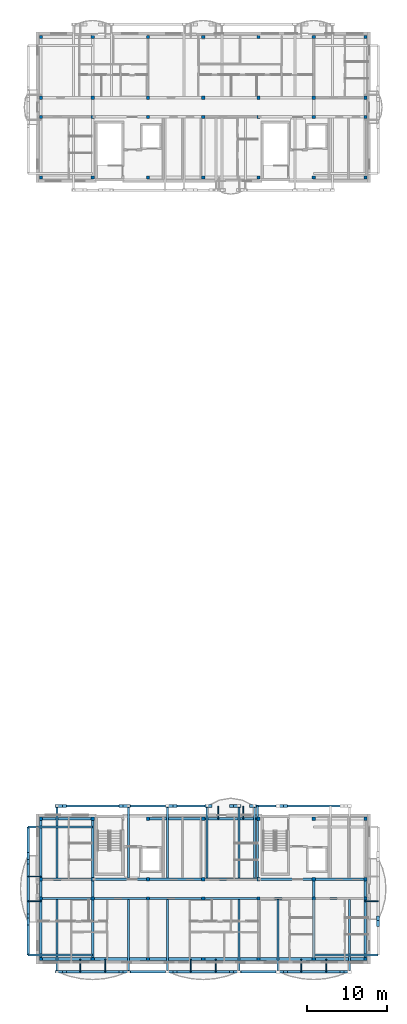
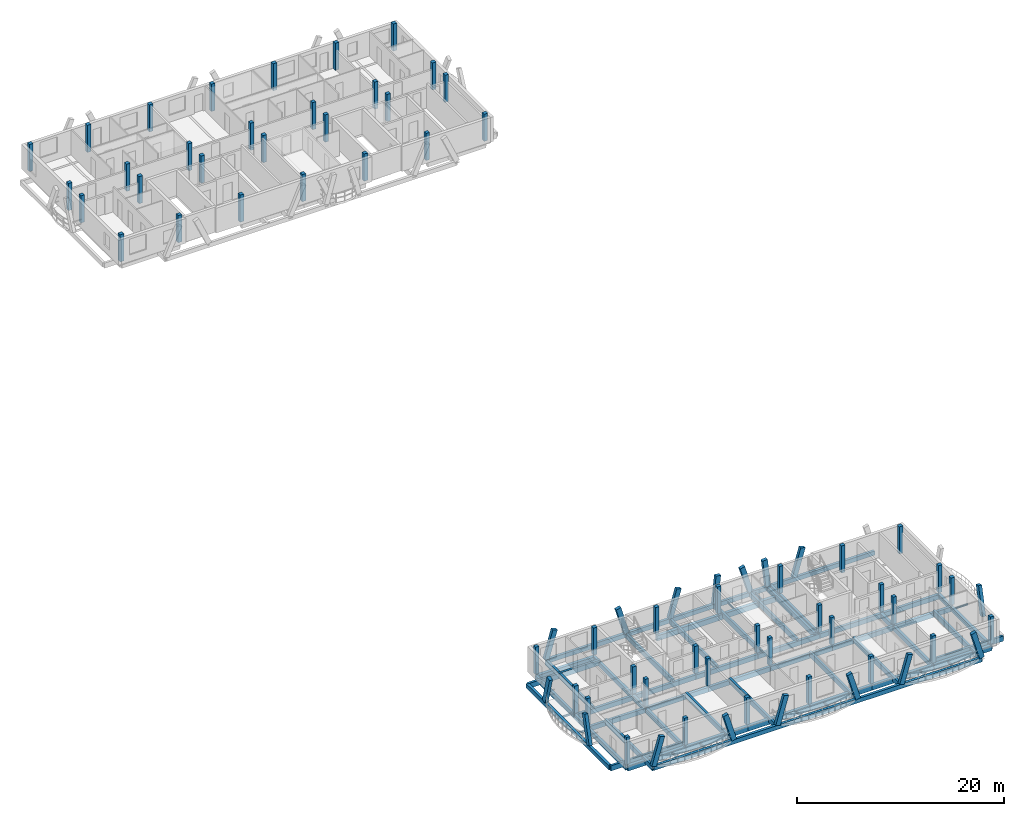
# One storey, part 1 of 18: 61 beams, 56 columns, 16 members.
"""IFC4 building model written with IfcOpenShell, lengths in metres."""

from ifc_helpers import new_model, si_unit, direction, frame, origin, origin_2d, place, context, subcontext, project, spatial, rectangle, i_section, extrude, material, material_profile, profile_set, type_object, element, save


model = new_model("IFC4")

# Units and contexts
model_context = context("Model", 3, precision=1e-05, world=origin(), true_north=direction((0.0, 1.0)))
body_context = subcontext(model_context, "Body", "Model", "MODEL_VIEW")
ifc_project = project(units=[si_unit("LENGTHUNIT", "METRE"), si_unit("AREAUNIT", "SQUARE_METRE"), si_unit("VOLUMEUNIT", "CUBIC_METRE"), si_unit("PLANEANGLEUNIT", "RADIAN"), si_unit("MASSUNIT", "GRAM", prefix="KILO")], contexts=[model_context])

# Site, building, storey
site_placement = place(None, origin())
site = spatial("IfcSite", under=ifc_project, at=site_placement, CompositionType="ELEMENT")
building_placement = place(site_placement, origin())
building = spatial("IfcBuilding", under=site, at=building_placement, Name="Zavelmont Quarter", CompositionType="ELEMENT")
storey_placement = place(building_placement, frame((0.0, 0.0, 40.0)))
storey = spatial("IfcBuildingStorey", under=building, at=storey_placement, Name="L12", CompositionType="ELEMENT", Elevation=40.0)

# Columns
ifc_material_1 = material(Name="Concrete C35/45", Category="concrete")
ifc_material_profile_1 = material_profile(ifc_material_1, rectangle(XDim=0.39990234375, YDim=0.39990234375, at=origin_2d()), Name="RC400X400")
ifc_profile_set_1 = profile_set([ifc_material_profile_1], Name="Concrete C35/45")
column_type = type_object("IfcColumnType", Name="CL05", PredefinedType="COLUMN", material=ifc_profile_set_1)
for number, where, z_axis, x_axis, name in (
    (1, (0.43994140625, 0.43994140625, 0.0), (0.0, 0.0, 1.0), (1.0, 0.0, 0.0), "L12 column CL05 at 1/A"),
    (2, (0.43994140625, 8.0, 0.0), (0.0, 0.0, 1.0), (1.0, 0.0, 0.0), "L12 column CL05 at 1/B"),
    (3, (0.43994140625, 10.39990234375, 0.0), (0.0, 0.0, 1.0), (1.0, 0.0, 0.0), "L12 column CL05 at 1/C"),
    (4, (0.43994140625, 17.9599609375, 0.0), (0.0, 0.0, 1.0), (1.0, 0.0, 0.0), "L12 column CL05 at 1/D"),
    (5, (6.89990234375, 0.43994140625, 0.0), (0.0, 0.0, 1.0), (1.0, 0.0, 0.0), "L12 column CL05 at 2/A"),
    (6, (6.89990234375, 8.0, 0.0), (0.0, 0.0, 1.0), (1.0, 0.0, 0.0), "L12 column CL05 at 2/B"),
    (7, (6.89990234375, 10.39990234375, 0.0), (0.0, 0.0, 1.0), (1.0, 0.0, 0.0), "L12 column CL05 at 2/C"),
    (8, (6.89990234375, 17.9599609375, 0.0), (0.0, 0.0, 1.0), (1.0, 0.0, 0.0), "L12 column CL05 at 2/D"),
    (9, (13.800048828125, 0.43994140625, 0.0), (0.0, 0.0, 1.0), (1.0, 0.0, 0.0), "L12 column CL05 at 3/A"),
    (10, (13.800048828125, 8.0, 0.0), (0.0, 0.0, 1.0), (1.0, 0.0, 0.0), "L12 column CL05 at 3/B"),
    (11, (13.800048828125, 10.39990234375, 0.0), (0.0, 0.0, 1.0), (1.0, 0.0, 0.0), "L12 column CL05 at 3/C"),
    (12, (13.800048828125, 17.9599609375, 0.0), (0.0, 0.0, 1.0), (1.0, 0.0, 0.0), "L12 column CL05 at 3/D"),
    (13, (20.699951171875, 0.43994140625, 0.0), (0.0, 0.0, 1.0), (1.0, 0.0, 0.0), "L12 column CL05 at 4/A"),
    (14, (20.699951171875, 8.0, 0.0), (0.0, 0.0, 1.0), (1.0, 0.0, 0.0), "L12 column CL05 at 4/B"),
    (15, (20.699951171875, 10.39990234375, 0.0), (0.0, 0.0, 1.0), (1.0, 0.0, 0.0), "L12 column CL05 at 4/C"),
    (16, (20.699951171875, 17.9599609375, 0.0), (0.0, 0.0, 1.0), (1.0, 0.0, 0.0), "L12 column CL05 at 4/D"),
    (17, (27.60009765625, 0.43994140625, 0.0), (0.0, 0.0, 1.0), (1.0, 0.0, 0.0), "L12 column CL05 at 5/A"),
    (18, (27.60009765625, 8.0, 0.0), (0.0, 0.0, 1.0), (1.0, 0.0, 0.0), "L12 column CL05 at 5/B"),
    (19, (27.60009765625, 10.39990234375, 0.0), (0.0, 0.0, 1.0), (1.0, 0.0, 0.0), "L12 column CL05 at 5/C"),
    (20, (27.60009765625, 17.9599609375, 0.0), (0.0, 0.0, 1.0), (1.0, 0.0, 0.0), "L12 column CL05 at 5/D"),
    (21, (34.5, 0.43994140625, 0.0), (0.0, 0.0, 1.0), (1.0, 0.0, 0.0), "L12 column CL05 at 6/A"),
    (22, (34.5, 8.0, 0.0), (0.0, 0.0, 1.0), (1.0, 0.0, 0.0), "L12 column CL05 at 6/B"),
    (23, (34.5, 10.39990234375, 0.0), (0.0, 0.0, 1.0), (1.0, 0.0, 0.0), "L12 column CL05 at 6/C"),
    (24, (34.5, 17.9599609375, 0.0), (0.0, 0.0, 1.0), (1.0, 0.0, 0.0), "L12 column CL05 at 6/D"),
    (25, (40.9599609375, 0.43994140625, 0.0), (0.0, 0.0, 1.0), (1.0, 0.0, 0.0), "L12 column CL05 at 7/A"),
    (26, (40.9599609375, 8.0, 0.0), (0.0, 0.0, 1.0), (1.0, 0.0, 0.0), "L12 column CL05 at 7/B"),
    (27, (40.9599609375, 10.39990234375, 0.0), (0.0, 0.0, 1.0), (1.0, 0.0, 0.0), "L12 column CL05 at 7/C"),
    (28, (40.9599609375, 17.9599609375, 0.0), (0.0, 0.0, 1.0), (1.0, 0.0, 0.0), "L12 column CL05 at 7/D"),
    (29, (0.43994140625, 98.0400390625, 0.0), (0.0, 0.0, 1.0), (1.0, 0.0, 0.0), "L12 column CL05 at 1/P"),
    (30, (0.43994140625, 105.60009765625, 0.0), (0.0, 0.0, 1.0), (1.0, 0.0, 0.0), "L12 column CL05 at 1/Q"),
    (31, (0.43994140625, 108.0, 0.0), (0.0, 0.0, 1.0), (1.0, 0.0, 0.0), "L12 column CL05 at 1/R"),
    (32, (0.43994140625, 115.56005859375, 0.0), (0.0, 0.0, 1.0), (1.0, 0.0, 0.0), "L12 column CL05 at 1/S"),
    (33, (6.89990234375, 98.0400390625, 0.0), (0.0, 0.0, 1.0), (1.0, 0.0, 0.0), "L12 column CL05 at 2/P"),
    (34, (6.89990234375, 105.60009765625, 0.0), (0.0, 0.0, 1.0), (1.0, 0.0, 0.0), "L12 column CL05 at 2/Q"),
    (35, (6.89990234375, 108.0, 0.0), (0.0, 0.0, 1.0), (1.0, 0.0, 0.0), "L12 column CL05 at 2/R"),
    (36, (6.89990234375, 115.56005859375, 0.0), (0.0, 0.0, 1.0), (1.0, 0.0, 0.0), "L12 column CL05 at 2/S"),
    (37, (13.800048828125, 98.0400390625, 0.0), (0.0, 0.0, 1.0), (1.0, 0.0, 0.0), "L12 column CL05 at 3/P"),
    (38, (13.800048828125, 105.60009765625, 0.0), (0.0, 0.0, 1.0), (1.0, 0.0, 0.0), "L12 column CL05 at 3/Q"),
    (39, (13.800048828125, 108.0, 0.0), (0.0, 0.0, 1.0), (1.0, 0.0, 0.0), "L12 column CL05 at 3/R"),
    (40, (13.800048828125, 115.56005859375, 0.0), (0.0, 0.0, 1.0), (1.0, 0.0, 0.0), "L12 column CL05 at 3/S"),
    (41, (20.699951171875, 98.0400390625, 0.0), (0.0, 0.0, 1.0), (1.0, 0.0, 0.0), "L12 column CL05 at 4/P"),
    (42, (20.699951171875, 105.60009765625, 0.0), (0.0, 0.0, 1.0), (1.0, 0.0, 0.0), "L12 column CL05 at 4/Q"),
    (43, (20.699951171875, 108.0, 0.0), (0.0, 0.0, 1.0), (1.0, 0.0, 0.0), "L12 column CL05 at 4/R"),
    (44, (20.699951171875, 115.56005859375, 0.0), (0.0, 0.0, 1.0), (1.0, 0.0, 0.0), "L12 column CL05 at 4/S"),
    (45, (27.60009765625, 98.0400390625, 0.0), (0.0, 0.0, 1.0), (1.0, 0.0, 0.0), "L12 column CL05 at 5/P"),
    (46, (27.60009765625, 105.60009765625, 0.0), (0.0, 0.0, 1.0), (1.0, 0.0, 0.0), "L12 column CL05 at 5/Q"),
    (47, (27.60009765625, 108.0, 0.0), (0.0, 0.0, 1.0), (1.0, 0.0, 0.0), "L12 column CL05 at 5/R"),
    (48, (27.60009765625, 115.56005859375, 0.0), (0.0, 0.0, 1.0), (1.0, 0.0, 0.0), "L12 column CL05 at 5/S"),
    (49, (34.5, 98.0400390625, 0.0), (0.0, 0.0, 1.0), (1.0, 0.0, 0.0), "L12 column CL05 at 6/P"),
    (50, (34.5, 105.60009765625, 0.0), (0.0, 0.0, 1.0), (1.0, 0.0, 0.0), "L12 column CL05 at 6/Q"),
    (51, (34.5, 108.0, 0.0), (0.0, 0.0, 1.0), (1.0, 0.0, 0.0), "L12 column CL05 at 6/R"),
    (52, (34.5, 115.56005859375, 0.0), (0.0, 0.0, 1.0), (1.0, 0.0, 0.0), "L12 column CL05 at 6/S"),
    (53, (40.9599609375, 98.0400390625, 0.0), (0.0, 0.0, 1.0), (1.0, 0.0, 0.0), "L12 column CL05 at 7/P"),
    (54, (40.9599609375, 105.60009765625, 0.0), (0.0, 0.0, 1.0), (1.0, 0.0, 0.0), "L12 column CL05 at 7/Q"),
    (55, (40.9599609375, 108.0, 0.0), (0.0, 0.0, 1.0), (1.0, 0.0, 0.0), "L12 column CL05 at 7/R"),
    (56, (40.9599609375, 115.56005859375, 0.0), (0.0, 0.0, 1.0), (1.0, 0.0, 0.0), "L12 column CL05 at 7/S"),
):
    element("IfcColumn", number, at=place(storey_placement, frame(where, z_axis=z_axis, x_axis=x_axis)), inside=storey, type_object=column_type, Name=name, PredefinedType="COLUMN", context=body_context, shape_type="SweptSolid", body=[
        extrude(rectangle(XDim=0.39990234375, YDim=0.39990234375, at=origin_2d()), origin(), (0.0, 0.0, 1.0), 3.199951171875),
    ])

# Beams
ifc_material_profile_2 = material_profile(ifc_material_1, rectangle(XDim=0.35009765625, YDim=0.60009765625, at=origin_2d()), Name="RC350X600")
ifc_profile_set_2 = profile_set([ifc_material_profile_2], Name="Concrete C35/45")
beam_type_1 = type_object("IfcBeamType", Name="BM01", PredefinedType="SPANDREL", material=ifc_profile_set_2)
beam_1_placement = place(storey_placement, frame((0.43994140625, 0.43994140625, -0.530029296875), z_axis=(1.0, 0.0, 0.0), x_axis=(0.0, 1.0, 0.0)))
element("IfcBeam", 57, at=beam_1_placement, inside=storey, type_object=beam_type_1, Name="L12 beam BM01 1/A to 2/A", PredefinedType="SPANDREL", context=body_context, shape_type="SweptSolid", body=[
    extrude(rectangle(XDim=0.35009765625, YDim=0.60009765625, at=origin_2d()), origin(), (0.0, 0.0, 1.0), 6.4599609375),
])
beam_2_placement = place(storey_placement, frame((6.89990234375, 0.43994140625, -0.530029296875), z_axis=(1.0, 0.0, 0.0), x_axis=(0.0, 1.0, 0.0)))
element("IfcBeam", 58, at=beam_2_placement, inside=storey, type_object=beam_type_1, Name="L12 beam BM01 2/A to 3/A", PredefinedType="SPANDREL", context=body_context, shape_type="SweptSolid", body=[
    extrude(rectangle(XDim=0.35009765625, YDim=0.60009765625, at=origin_2d()), origin(), (0.0, 0.0, 1.0), 6.900146484375),
])
beam_3_placement = place(storey_placement, frame((13.800048828125, 0.43994140625, -0.530029296875), z_axis=(1.0, 0.0, 0.0), x_axis=(0.0, 1.0, 0.0)))
element("IfcBeam", 59, at=beam_3_placement, inside=storey, type_object=beam_type_1, Name="L12 beam BM01 3/A to 4/A", PredefinedType="SPANDREL", context=body_context, shape_type="SweptSolid", body=[
    extrude(rectangle(XDim=0.35009765625, YDim=0.60009765625, at=origin_2d()), origin(), (0.0, 0.0, 1.0), 6.89990234375),
])
beam_4_placement = place(storey_placement, frame((20.699951171875, 0.43994140625, -0.530029296875), z_axis=(1.0, 0.0, 0.0), x_axis=(0.0, 1.0, 0.0)))
element("IfcBeam", 60, at=beam_4_placement, inside=storey, type_object=beam_type_1, Name="L12 beam BM01 4/A to 5/A", PredefinedType="SPANDREL", context=body_context, shape_type="SweptSolid", body=[
    extrude(rectangle(XDim=0.35009765625, YDim=0.60009765625, at=origin_2d()), origin(), (0.0, 0.0, 1.0), 6.900146484375),
])
beam_5_placement = place(storey_placement, frame((27.60009765625, 0.43994140625, -0.530029296875), z_axis=(1.0, 0.0, 0.0), x_axis=(0.0, 1.0, 0.0)))
element("IfcBeam", 61, at=beam_5_placement, inside=storey, type_object=beam_type_1, Name="L12 beam BM01 5/A to 6/A", PredefinedType="SPANDREL", context=body_context, shape_type="SweptSolid", body=[
    extrude(rectangle(XDim=0.35009765625, YDim=0.60009765625, at=origin_2d()), origin(), (0.0, 0.0, 1.0), 6.89990234375),
])
for number, where, z_axis, x_axis, name in (
    (62, (34.5, 0.43994140625, -0.530029296875), (1.0, 0.0, 0.0), (0.0, 1.0, 0.0), "L12 beam BM01 6/A to 7/A"),
    (63, (0.43994140625, 17.9599609375, -0.530029296875), (1.0, 0.0, 0.0), (0.0, 1.0, 0.0), "L12 beam BM01 1/D to 2/D"),
):
    element("IfcBeam", number, at=place(storey_placement, frame(where, z_axis=z_axis, x_axis=x_axis)), inside=storey, type_object=beam_type_1, Name=name, PredefinedType="SPANDREL", context=body_context, shape_type="SweptSolid", body=[
        extrude(rectangle(XDim=0.35009765625, YDim=0.60009765625, at=origin_2d()), origin(), (0.0, 0.0, 1.0), 6.4599609375),
    ])
beam_6_placement = place(storey_placement, frame((13.800048828125, 17.9599609375, -0.530029296875), z_axis=(1.0, 0.0, 0.0), x_axis=(0.0, 1.0, 0.0)))
element("IfcBeam", 64, at=beam_6_placement, inside=storey, type_object=beam_type_1, Name="L12 beam BM01 3/D to 4/D", PredefinedType="SPANDREL", context=body_context, shape_type="SweptSolid", body=[
    extrude(rectangle(XDim=0.35009765625, YDim=0.60009765625, at=origin_2d()), origin(), (0.0, 0.0, 1.0), 6.89990234375),
])
beam_7_placement = place(storey_placement, frame((20.699951171875, 17.9599609375, -0.530029296875), z_axis=(1.0, 0.0, 0.0), x_axis=(0.0, 1.0, 0.0)))
element("IfcBeam", 65, at=beam_7_placement, inside=storey, type_object=beam_type_1, Name="L12 beam BM01 4/D to 5/D", PredefinedType="SPANDREL", context=body_context, shape_type="SweptSolid", body=[
    extrude(rectangle(XDim=0.35009765625, YDim=0.60009765625, at=origin_2d()), origin(), (0.0, 0.0, 1.0), 6.900146484375),
])
ifc_material_profile_3 = material_profile(ifc_material_1, rectangle(XDim=0.300048828125, YDim=0.550048828125, at=origin_2d()), Name="RC300X550")
ifc_profile_set_3 = profile_set([ifc_material_profile_3], Name="Concrete C35/45")
beam_type_2 = type_object("IfcBeamType", Name="BM02", PredefinedType="SPANDREL", material=ifc_profile_set_3)
beam_8_placement = place(storey_placement, frame((0.43994140625, 8.0, -0.5048828125), z_axis=(1.0, 0.0, 0.0), x_axis=(0.0, 1.0, 0.0)))
element("IfcBeam", 66, at=beam_8_placement, inside=storey, type_object=beam_type_2, Name="L12 beam BM02 1/B to 2/B", PredefinedType="SPANDREL", context=body_context, shape_type="SweptSolid", body=[
    extrude(rectangle(XDim=0.300048828125, YDim=0.550048828125, at=origin_2d()), origin(), (0.0, 0.0, 1.0), 6.4599609375),
])
beam_9_placement = place(storey_placement, frame((6.89990234375, 8.0, -0.5048828125), z_axis=(1.0, 0.0, 0.0), x_axis=(0.0, 1.0, 0.0)))
element("IfcBeam", 67, at=beam_9_placement, inside=storey, type_object=beam_type_2, Name="L12 beam BM02 2/B to 3/B", PredefinedType="SPANDREL", context=body_context, shape_type="SweptSolid", body=[
    extrude(rectangle(XDim=0.300048828125, YDim=0.550048828125, at=origin_2d()), origin(), (0.0, 0.0, 1.0), 6.900146484375),
])
beam_10_placement = place(storey_placement, frame((13.800048828125, 8.0, -0.5048828125), z_axis=(1.0, 0.0, 0.0), x_axis=(0.0, 1.0, 0.0)))
element("IfcBeam", 68, at=beam_10_placement, inside=storey, type_object=beam_type_2, Name="L12 beam BM02 3/B to 4/B", PredefinedType="SPANDREL", context=body_context, shape_type="SweptSolid", body=[
    extrude(rectangle(XDim=0.300048828125, YDim=0.550048828125, at=origin_2d()), origin(), (0.0, 0.0, 1.0), 6.89990234375),
])
beam_11_placement = place(storey_placement, frame((20.699951171875, 8.0, -0.5048828125), z_axis=(1.0, 0.0, 0.0), x_axis=(0.0, 1.0, 0.0)))
element("IfcBeam", 69, at=beam_11_placement, inside=storey, type_object=beam_type_2, Name="L12 beam BM02 4/B to 5/B", PredefinedType="SPANDREL", context=body_context, shape_type="SweptSolid", body=[
    extrude(rectangle(XDim=0.300048828125, YDim=0.550048828125, at=origin_2d()), origin(), (0.0, 0.0, 1.0), 6.900146484375),
])
beam_12_placement = place(storey_placement, frame((27.60009765625, 8.0, -0.5048828125), z_axis=(1.0, 0.0, 0.0), x_axis=(0.0, 1.0, 0.0)))
element("IfcBeam", 70, at=beam_12_placement, inside=storey, type_object=beam_type_2, Name="L12 beam BM02 5/B to 6/B", PredefinedType="SPANDREL", context=body_context, shape_type="SweptSolid", body=[
    extrude(rectangle(XDim=0.300048828125, YDim=0.550048828125, at=origin_2d()), origin(), (0.0, 0.0, 1.0), 6.89990234375),
])
for number, where, z_axis, x_axis, name in (
    (71, (34.5, 8.0, -0.5048828125), (1.0, 0.0, 0.0), (0.0, 1.0, 0.0), "L12 beam BM02 6/B to 7/B"),
    (72, (0.43994140625, 10.39990234375, -0.5048828125), (1.0, 0.0, 0.0), (0.0, 1.0, 0.0), "L12 beam BM02 1/C to 2/C"),
):
    element("IfcBeam", number, at=place(storey_placement, frame(where, z_axis=z_axis, x_axis=x_axis)), inside=storey, type_object=beam_type_2, Name=name, PredefinedType="SPANDREL", context=body_context, shape_type="SweptSolid", body=[
        extrude(rectangle(XDim=0.300048828125, YDim=0.550048828125, at=origin_2d()), origin(), (0.0, 0.0, 1.0), 6.4599609375),
    ])
beam_13_placement = place(storey_placement, frame((6.89990234375, 10.39990234375, -0.5048828125), z_axis=(1.0, 0.0, 0.0), x_axis=(0.0, 1.0, 0.0)))
element("IfcBeam", 73, at=beam_13_placement, inside=storey, type_object=beam_type_2, Name="L12 beam BM02 2/C to 3/C", PredefinedType="SPANDREL", context=body_context, shape_type="SweptSolid", body=[
    extrude(rectangle(XDim=0.300048828125, YDim=0.550048828125, at=origin_2d()), origin(), (0.0, 0.0, 1.0), 6.900146484375),
])
beam_14_placement = place(storey_placement, frame((13.800048828125, 10.39990234375, -0.5048828125), z_axis=(1.0, 0.0, 0.0), x_axis=(0.0, 1.0, 0.0)))
element("IfcBeam", 74, at=beam_14_placement, inside=storey, type_object=beam_type_2, Name="L12 beam BM02 3/C to 4/C", PredefinedType="SPANDREL", context=body_context, shape_type="SweptSolid", body=[
    extrude(rectangle(XDim=0.300048828125, YDim=0.550048828125, at=origin_2d()), origin(), (0.0, 0.0, 1.0), 6.89990234375),
])
beam_15_placement = place(storey_placement, frame((20.699951171875, 10.39990234375, -0.5048828125), z_axis=(1.0, 0.0, 0.0), x_axis=(0.0, 1.0, 0.0)))
element("IfcBeam", 75, at=beam_15_placement, inside=storey, type_object=beam_type_2, Name="L12 beam BM02 4/C to 5/C", PredefinedType="SPANDREL", context=body_context, shape_type="SweptSolid", body=[
    extrude(rectangle(XDim=0.300048828125, YDim=0.550048828125, at=origin_2d()), origin(), (0.0, 0.0, 1.0), 6.900146484375),
])
beam_16_placement = place(storey_placement, frame((27.60009765625, 10.39990234375, -0.5048828125), z_axis=(1.0, 0.0, 0.0), x_axis=(0.0, 1.0, 0.0)))
element("IfcBeam", 76, at=beam_16_placement, inside=storey, type_object=beam_type_2, Name="L12 beam BM02 5/C to 6/C", PredefinedType="SPANDREL", context=body_context, shape_type="SweptSolid", body=[
    extrude(rectangle(XDim=0.300048828125, YDim=0.550048828125, at=origin_2d()), origin(), (0.0, 0.0, 1.0), 6.89990234375),
])
beam_17_placement = place(storey_placement, frame((34.5, 10.39990234375, -0.5048828125), z_axis=(1.0, 0.0, 0.0), x_axis=(0.0, 1.0, 0.0)))
element("IfcBeam", 77, at=beam_17_placement, inside=storey, type_object=beam_type_2, Name="L12 beam BM02 6/C to 7/C", PredefinedType="SPANDREL", context=body_context, shape_type="SweptSolid", body=[
    extrude(rectangle(XDim=0.300048828125, YDim=0.550048828125, at=origin_2d()), origin(), (0.0, 0.0, 1.0), 6.4599609375),
])
beam_18_placement = place(storey_placement, frame((0.43994140625, 0.43994140625, -0.5048828125), z_axis=(0.0, 1.0, 0.0), x_axis=(-1.0, 0.0, 0.0)))
element("IfcBeam", 78, at=beam_18_placement, inside=storey, type_object=beam_type_2, Name="L12 beam BM02 1/A to 1/B", PredefinedType="SPANDREL", context=body_context, shape_type="SweptSolid", body=[
    extrude(rectangle(XDim=0.300048828125, YDim=0.550048828125, at=origin_2d()), origin(), (0.0, 0.0, 1.0), 7.56005859375),
])
beam_19_placement = place(storey_placement, frame((0.43994140625, 8.0, -0.5048828125), z_axis=(0.0, 1.0, 0.0), x_axis=(-1.0, 0.0, 0.0)))
element("IfcBeam", 79, at=beam_19_placement, inside=storey, type_object=beam_type_2, Name="L12 beam BM02 1/B to 1/C", PredefinedType="SPANDREL", context=body_context, shape_type="SweptSolid", body=[
    extrude(rectangle(XDim=0.300048828125, YDim=0.550048828125, at=origin_2d()), origin(), (0.0, 0.0, 1.0), 2.39990234375),
])
for number, where, z_axis, x_axis, name in (
    (80, (0.43994140625, 10.39990234375, -0.5048828125), (0.0, 1.0, 0.0), (-1.0, 0.0, 0.0), "L12 beam BM02 1/C to 1/D"),
    (81, (6.89990234375, 0.43994140625, -0.5048828125), (0.0, 1.0, 0.0), (-1.0, 0.0, 0.0), "L12 beam BM02 2/A to 2/B"),
):
    element("IfcBeam", number, at=place(storey_placement, frame(where, z_axis=z_axis, x_axis=x_axis)), inside=storey, type_object=beam_type_2, Name=name, PredefinedType="SPANDREL", context=body_context, shape_type="SweptSolid", body=[
        extrude(rectangle(XDim=0.300048828125, YDim=0.550048828125, at=origin_2d()), origin(), (0.0, 0.0, 1.0), 7.56005859375),
    ])
beam_20_placement = place(storey_placement, frame((6.89990234375, 8.0, -0.5048828125), z_axis=(0.0, 1.0, 0.0), x_axis=(-1.0, 0.0, 0.0)))
element("IfcBeam", 82, at=beam_20_placement, inside=storey, type_object=beam_type_2, Name="L12 beam BM02 2/B to 2/C", PredefinedType="SPANDREL", context=body_context, shape_type="SweptSolid", body=[
    extrude(rectangle(XDim=0.300048828125, YDim=0.550048828125, at=origin_2d()), origin(), (0.0, 0.0, 1.0), 2.39990234375),
])
for number, where, z_axis, x_axis, name in (
    (83, (6.89990234375, 10.39990234375, -0.5048828125), (0.0, 1.0, 0.0), (-1.0, 0.0, 0.0), "L12 beam BM02 2/C to 2/D"),
    (84, (34.5, 0.43994140625, -0.5048828125), (0.0, 1.0, 0.0), (-1.0, 0.0, 0.0), "L12 beam BM02 6/A to 6/B"),
):
    element("IfcBeam", number, at=place(storey_placement, frame(where, z_axis=z_axis, x_axis=x_axis)), inside=storey, type_object=beam_type_2, Name=name, PredefinedType="SPANDREL", context=body_context, shape_type="SweptSolid", body=[
        extrude(rectangle(XDim=0.300048828125, YDim=0.550048828125, at=origin_2d()), origin(), (0.0, 0.0, 1.0), 7.56005859375),
    ])
beam_21_placement = place(storey_placement, frame((34.5, 8.0, -0.5048828125), z_axis=(0.0, 1.0, 0.0), x_axis=(-1.0, 0.0, 0.0)))
element("IfcBeam", 85, at=beam_21_placement, inside=storey, type_object=beam_type_2, Name="L12 beam BM02 6/B to 6/C", PredefinedType="SPANDREL", context=body_context, shape_type="SweptSolid", body=[
    extrude(rectangle(XDim=0.300048828125, YDim=0.550048828125, at=origin_2d()), origin(), (0.0, 0.0, 1.0), 2.39990234375),
])
beam_22_placement = place(storey_placement, frame((40.9599609375, 0.43994140625, -0.5048828125), z_axis=(0.0, 1.0, 0.0), x_axis=(-1.0, 0.0, 0.0)))
element("IfcBeam", 86, at=beam_22_placement, inside=storey, type_object=beam_type_2, Name="L12 beam BM02 7/A to 7/B", PredefinedType="SPANDREL", context=body_context, shape_type="SweptSolid", body=[
    extrude(rectangle(XDim=0.300048828125, YDim=0.550048828125, at=origin_2d()), origin(), (0.0, 0.0, 1.0), 7.56005859375),
])
beam_23_placement = place(storey_placement, frame((40.9599609375, 8.0, -0.5048828125), z_axis=(0.0, 1.0, 0.0), x_axis=(-1.0, 0.0, 0.0)))
element("IfcBeam", 87, at=beam_23_placement, inside=storey, type_object=beam_type_2, Name="L12 beam BM02 7/B to 7/C", PredefinedType="SPANDREL", context=body_context, shape_type="SweptSolid", body=[
    extrude(rectangle(XDim=0.300048828125, YDim=0.550048828125, at=origin_2d()), origin(), (0.0, 0.0, 1.0), 2.39990234375),
])
ifc_material_profile_4 = material_profile(ifc_material_1, rectangle(XDim=0.300048828125, YDim=0.5, at=origin_2d()), Name="RC300X500")
ifc_profile_set_4 = profile_set([ifc_material_profile_4], Name="Concrete C35/45")
beam_type_3 = type_object("IfcBeamType", Name="BM03", PredefinedType="BEAM", material=ifc_profile_set_4)
for number, where, z_axis, x_axis, name in (
    (88, (2.43505859375, -1.14990234375, -0.25), (1.0, 0.0, 0.0), (0.0, 1.0, 0.0), "L12 beam BM03 1/A to 7/A"),
    (89, (2.43505859375, 19.550048828125, -0.25), (1.0, 0.0, 0.0), (0.0, 1.0, 0.0), "L12 beam BM03 1/D to 7/D"),
):
    element("IfcBeam", number, at=place(storey_placement, frame(where, z_axis=z_axis, x_axis=x_axis)), inside=storey, type_object=beam_type_3, Name=name, PredefinedType="BEAM", context=body_context, shape_type="SweptSolid", body=[
        extrude(rectangle(XDim=0.300048828125, YDim=0.5, at=origin_2d()), origin(), (0.0, 0.0, 1.0), 36.530029296875),
    ])
beam_24_placement = place(storey_placement, frame((-1.14990234375, 0.949951171875, -0.25), z_axis=(0.0, 1.0, 0.0), x_axis=(-1.0, 0.0, 0.0)))
element("IfcBeam", 90, at=beam_24_placement, inside=storey, type_object=beam_type_3, Name="L12 beam BM03 1/A to 1/D", PredefinedType="BEAM", context=body_context, shape_type="SweptSolid", body=[
    extrude(rectangle(XDim=0.300048828125, YDim=0.5, at=origin_2d()), origin(), (0.0, 0.0, 1.0), 15.949951171875),
])
ifc_material_2 = material(Name="Steel S355", Category="steel")
ifc_material_profile_5 = material_profile(ifc_material_2, i_section(OverallWidth=0.110107421875, OverallDepth=0.219970703125, WebThickness=0.005859375, FlangeThickness=0.00927734375, at=origin_2d()), Name="IPE 220")
ifc_profile_set_5 = profile_set([ifc_material_profile_5], Name="Steel S355")
beam_type_4 = type_object("IfcBeamType", Name="BM15", PredefinedType="JOIST", material=ifc_profile_set_5)
for number, where, z_axis, x_axis, name in (
    (91, (5.35009765625, 0.43994140625, -0.35693359375), (0.0, -1.0, 0.0), (1.0, 0.0, 0.0), "L12 beam BM15 2/A to 2/A"),
    (92, (8.449951171875, 0.43994140625, -0.35693359375), (0.0, -1.0, 0.0), (1.0, 0.0, 0.0), "L12 beam BM15 2/A to 2/A"),
    (93, (19.14990234375, 0.43994140625, -0.346923828125), (0.0, -1.0, 0.0), (1.0, 0.0, 0.0), "L12 beam BM15 4/A to 4/A"),
    (94, (22.25, 0.43994140625, -0.346923828125), (0.0, -1.0, 0.0), (1.0, 0.0, 0.0), "L12 beam BM15 4/A to 4/A"),
    (95, (32.949951171875, 0.43994140625, -0.366943359375), (0.0, -1.0, 0.0), (1.0, 0.0, 0.0), "L12 beam BM15 6/A to 6/A"),
    (96, (36.050048828125, 0.43994140625, -0.366943359375), (0.0, -1.0, 0.0), (1.0, 0.0, 0.0), "L12 beam BM15 6/A to 6/A"),
    (97, (0.43994140625, 7.64990234375, -0.346923828125), (-1.0, 0.0, 0.0), (0.0, -1.0, 0.0), "L12 beam BM15 1/B to 1/B"),
    (98, (0.43994140625, 10.75, -0.346923828125), (-1.0, 0.0, 0.0), (0.0, -1.0, 0.0), "L12 beam BM15 1/C to 1/C"),
):
    element("IfcBeam", number, at=place(storey_placement, frame(where, z_axis=z_axis, x_axis=x_axis)), inside=storey, type_object=beam_type_4, Name=name, PredefinedType="JOIST", context=body_context, shape_type="SweptSolid", body=[
        extrude(i_section(OverallWidth=0.110107421875, OverallDepth=0.219970703125, WebThickness=0.005859375, FlangeThickness=0.00927734375, at=origin_2d()), origin(), (0.0, 0.0, 1.0), 1.58984375),
    ])
for number, where, z_axis, x_axis, name in (
    (99, (40.9599609375, 7.64990234375, -0.366943359375), (1.0, 0.0, 0.0), (0.0, 1.0, 0.0), "L12 beam BM15 7/B to 7/B"),
    (100, (22.60009765625, 17.9599609375, -0.35693359375), (0.0, 1.0, 0.0), (-1.0, 0.0, 0.0), "L12 beam BM15 4/D to 4/D"),
    (101, (25.699951171875, 17.9599609375, -0.35693359375), (0.0, 1.0, 0.0), (-1.0, 0.0, 0.0), "L12 beam BM15 5/D to 5/D"),
):
    element("IfcBeam", number, at=place(storey_placement, frame(where, z_axis=z_axis, x_axis=x_axis)), inside=storey, type_object=beam_type_4, Name=name, PredefinedType="JOIST", context=body_context, shape_type="SweptSolid", body=[
        extrude(i_section(OverallWidth=0.110107421875, OverallDepth=0.219970703125, WebThickness=0.005859375, FlangeThickness=0.00927734375, at=origin_2d()), origin(), (0.0, 0.0, 1.0), 1.590087890625),
    ])
ifc_material_3 = material(Name="Concrete C40/50", Category="concrete")
ifc_material_profile_6 = material_profile(ifc_material_3, rectangle(XDim=0.25, YDim=0.60009765625, at=origin_2d()), Name="RC250X600")
ifc_profile_set_6 = profile_set([ifc_material_profile_6], Name="Concrete C40/50")
beam_type_5 = type_object("IfcBeamType", Name="BM18", PredefinedType="BEAM", material=ifc_profile_set_6)
for number, where, z_axis, x_axis, name in (
    (102, (2.43505859375, 8.0, -0.300048828125), (0.0, -1.0, 0.0), (1.0, 0.0, 0.0), "L12 beam BM18 1/B to 1/A"),
    (103, (11.364990234375, 8.0, -0.300048828125), (0.0, -1.0, 0.0), (1.0, 0.0, 0.0), "L12 beam BM18 3/B to 3/A"),
    (104, (16.235107421875, 8.0, -0.300048828125), (0.0, -1.0, 0.0), (1.0, 0.0, 0.0), "L12 beam BM18 3/B to 3/A"),
    (105, (25.1650390625, 8.0, -0.300048828125), (0.0, -1.0, 0.0), (1.0, 0.0, 0.0), "L12 beam BM18 5/B to 5/A"),
    (106, (30.034912109375, 8.0, -0.300048828125), (0.0, -1.0, 0.0), (1.0, 0.0, 0.0), "L12 beam BM18 5/B to 5/A"),
    (107, (38.965087890625, 8.0, -0.300048828125), (0.0, -1.0, 0.0), (1.0, 0.0, 0.0), "L12 beam BM18 7/B to 7/A"),
):
    element("IfcBeam", number, at=place(storey_placement, frame(where, z_axis=z_axis, x_axis=x_axis)), inside=storey, type_object=beam_type_5, Name=name, PredefinedType="BEAM", context=body_context, shape_type="SweptSolid", body=[
        extrude(rectangle(XDim=0.25, YDim=0.60009765625, at=origin_2d()), origin(), (0.0, 0.0, 1.0), 9.14990234375),
    ])
for number, where, z_axis, x_axis, name in (
    (108, (2.43505859375, 10.39990234375, -0.300048828125), (0.0, 1.0, 0.0), (-1.0, 0.0, 0.0), "L12 beam BM18 1/C to 1/D"),
    (109, (11.364990234375, 10.39990234375, -0.300048828125), (0.0, 1.0, 0.0), (-1.0, 0.0, 0.0), "L12 beam BM18 3/C to 3/D"),
    (110, (16.235107421875, 10.39990234375, -0.300048828125), (0.0, 1.0, 0.0), (-1.0, 0.0, 0.0), "L12 beam BM18 3/C to 3/D"),
    (111, (25.1650390625, 10.39990234375, -0.300048828125), (0.0, 1.0, 0.0), (-1.0, 0.0, 0.0), "L12 beam BM18 5/C to 5/D"),
    (112, (27.5, 10.39990234375, -0.300048828125), (0.0, 1.0, 0.0), (-1.0, 0.0, 0.0), "L12 beam BM18 5/C to 5/D"),
    (113, (21.199951171875, 10.39990234375, -0.300048828125), (0.0, 1.0, 0.0), (-1.0, 0.0, 0.0), "L12 beam BM18 4/C to 4/D"),
    (114, (27.10009765625, 10.39990234375, -0.300048828125), (0.0, 1.0, 0.0), (-1.0, 0.0, 0.0), "L12 beam BM18 5/C to 5/D"),
):
    element("IfcBeam", number, at=place(storey_placement, frame(where, z_axis=z_axis, x_axis=x_axis)), inside=storey, type_object=beam_type_5, Name=name, PredefinedType="BEAM", context=body_context, shape_type="SweptSolid", body=[
        extrude(rectangle(XDim=0.25, YDim=0.60009765625, at=origin_2d()), origin(), (0.0, 0.0, 1.0), 9.150146484375),
    ])
for number, where, z_axis, x_axis, name in (
    (115, (6.89990234375, 0.949951171875, -0.300048828125), (-1.0, 0.0, 0.0), (0.0, -1.0, 0.0), "L12 beam BM18 2/A to 1/A"),
    (116, (6.89990234375, 16.89990234375, -0.300048828125), (-1.0, 0.0, 0.0), (0.0, -1.0, 0.0), "L12 beam BM18 2/D to 1/D"),
):
    element("IfcBeam", number, at=place(storey_placement, frame(where, z_axis=z_axis, x_axis=x_axis)), inside=storey, type_object=beam_type_5, Name=name, PredefinedType="BEAM", context=body_context, shape_type="SweptSolid", body=[
        extrude(rectangle(XDim=0.25, YDim=0.60009765625, at=origin_2d()), origin(), (0.0, 0.0, 1.0), 8.0498046875),
    ])
beam_25_placement = place(storey_placement, frame((34.5, 0.949951171875, -0.300048828125), z_axis=(1.0, 0.0, 0.0), x_axis=(0.0, 1.0, 0.0)))
element("IfcBeam", 117, at=beam_25_placement, inside=storey, type_object=beam_type_5, Name="L12 beam BM18 6/A to 7/A", PredefinedType="BEAM", context=body_context, shape_type="SweptSolid", body=[
    extrude(rectangle(XDim=0.25, YDim=0.60009765625, at=origin_2d()), origin(), (0.0, 0.0, 1.0), 8.050048828125),
])

# Members
ifc_material_4 = material(Name="White architectural precast concrete C40/50", Category="concrete")
ifc_material_profile_7 = material_profile(ifc_material_4, rectangle(XDim=0.360107421875, YDim=0.5400390625, at=origin_2d()), Name="PCR280X420")
ifc_profile_set_7 = profile_set([ifc_material_profile_7], Name="White architectural precast concrete C40/50")
member_type = type_object("IfcMemberType", Name="VR02M", PredefinedType="CHORD", material=ifc_profile_set_7)
for number, where, z_axis, x_axis, name in (
    (118, (2.43505859375, -1.14990234375, 0.0), (0.28075069181, 0.0, 0.959780729671), (0.0, 1.0, 0.0), "L12 member VR02M 1/A to 1/A"),
    (119, (11.364990234375, -1.14990234375, 0.0), (-0.28075069181, 0.0, 0.959780729671), (0.0, -1.0, 0.0), "L12 member VR02M 3/A to 3/A"),
    (120, (16.235107421875, -1.14990234375, 0.0), (0.28075069181, 0.0, 0.959780729671), (0.0, 1.0, 0.0), "L12 member VR02M 3/A to 3/A"),
    (121, (25.1650390625, -1.14990234375, 0.0), (-0.28075069181, 0.0, 0.959780729671), (0.0, -1.0, 0.0), "L12 member VR02M 5/A to 5/A"),
):
    element("IfcMember", number, at=place(storey_placement, frame(where, z_axis=z_axis, x_axis=x_axis)), inside=storey, type_object=member_type, Name=name, PredefinedType="CHORD", context=body_context, shape_type="SweptSolid", body=[
        extrude(rectangle(XDim=0.360107421875, YDim=0.5400390625, at=origin_2d()), origin(), (0.0, 0.0, 1.0), 3.333984375),
    ])
for number, where, z_axis, x_axis, name in (
    (122, (30.034912109375, -1.14990234375, 0.0), (0.280818144518, 0.0, 0.959760996139), (0.0, 1.0, 0.0), "L12 member VR02M 5/A to 5/A"),
    (123, (38.965087890625, -1.14990234375, 0.0), (-0.280818144518, 0.0, 0.959760996139), (0.0, -1.0, 0.0), "L12 member VR02M 7/A to 7/A"),
):
    element("IfcMember", number, at=place(storey_placement, frame(where, z_axis=z_axis, x_axis=x_axis)), inside=storey, type_object=member_type, Name=name, PredefinedType="CHORD", context=body_context, shape_type="SweptSolid", body=[
        extrude(rectangle(XDim=0.360107421875, YDim=0.5400390625, at=origin_2d()), origin(), (0.0, 0.0, 1.0), 3.334228515625),
    ])
for number, where, z_axis, x_axis, name in (
    (124, (2.43505859375, 19.550048828125, 0.0), (0.28075069181, 0.0, 0.959780729671), (0.0, 1.0, 0.0), "L12 member VR02M 1/D to 1/D"),
    (125, (11.364990234375, 19.550048828125, 0.0), (-0.28075069181, 0.0, 0.959780729671), (0.0, -1.0, 0.0), "L12 member VR02M 3/D to 3/D"),
    (126, (16.235107421875, 19.550048828125, 0.0), (0.28075069181, 0.0, 0.959780729671), (0.0, 1.0, 0.0), "L12 member VR02M 3/D to 3/D"),
    (127, (25.1650390625, 19.550048828125, 0.0), (-0.28075069181, 0.0, 0.959780729671), (0.0, -1.0, 0.0), "L12 member VR02M 5/D to 5/D"),
):
    element("IfcMember", number, at=place(storey_placement, frame(where, z_axis=z_axis, x_axis=x_axis)), inside=storey, type_object=member_type, Name=name, PredefinedType="CHORD", context=body_context, shape_type="SweptSolid", body=[
        extrude(rectangle(XDim=0.360107421875, YDim=0.5400390625, at=origin_2d()), origin(), (0.0, 0.0, 1.0), 3.333984375),
    ])
member_1_placement = place(storey_placement, frame((30.034912109375, 19.550048828125, 0.0), z_axis=(0.280818144518, 0.0, 0.959760996139), x_axis=(0.0, 1.0, 0.0)))
element("IfcMember", 128, at=member_1_placement, inside=storey, type_object=member_type, Name="L12 member VR02M 5/D to 5/D", PredefinedType="CHORD", context=body_context, shape_type="SweptSolid", body=[
    extrude(rectangle(XDim=0.360107421875, YDim=0.5400390625, at=origin_2d()), origin(), (0.0, 0.0, 1.0), 3.334228515625),
])
for number, where, z_axis, x_axis, name in (
    (129, (21.199951171875, 19.550048828125, 0.0), (0.109357713235, 0.0, 0.994002460035), (0.0, 1.0, 0.0), "L12 member VR02M 4/D to 4/D"),
    (130, (27.10009765625, 19.550048828125, 0.0), (-0.109357713235, 0.0, 0.994002460035), (0.0, -1.0, 0.0), "L12 member VR02M 5/D to 5/D"),
):
    element("IfcMember", number, at=place(storey_placement, frame(where, z_axis=z_axis, x_axis=x_axis)), inside=storey, type_object=member_type, Name=name, PredefinedType="CHORD", context=body_context, shape_type="SweptSolid", body=[
        extrude(rectangle(XDim=0.360107421875, YDim=0.5400390625, at=origin_2d()), origin(), (0.0, 0.0, 1.0), 3.21923828125),
    ])
for number, where, z_axis, x_axis, name in (
    (131, (-1.14990234375, 4.933837890625, 0.0), (0.0, 0.263553303672, 0.964644834187), (-1.0, 0.0, 0.0), "L12 member VR02M 1/B to 1/B"),
    (132, (-1.14990234375, 13.46630859375, 0.0), (0.0, -0.263553303672, 0.964644834187), (1.0, 0.0, 0.0), "L12 member VR02M 1/C to 1/C"),
):
    element("IfcMember", number, at=place(storey_placement, frame(where, z_axis=z_axis, x_axis=x_axis)), inside=storey, type_object=member_type, Name=name, PredefinedType="CHORD", context=body_context, shape_type="SweptSolid", body=[
        extrude(rectangle(XDim=0.360107421875, YDim=0.5400390625, at=origin_2d()), origin(), (0.0, 0.0, 1.0), 3.317138671875),
    ])
member_2_placement = place(storey_placement, frame((42.550048828125, 4.760009765625, 0.0), z_axis=(0.0, 0.236268342536, 0.971687846129), x_axis=(-1.0, 0.0, 0.0)))
element("IfcMember", 133, at=member_2_placement, inside=storey, type_object=member_type, Name="L12 member VR02M 7/B to 7/B", PredefinedType="CHORD", context=body_context, shape_type="SweptSolid", body=[
    extrude(rectangle(XDim=0.360107421875, YDim=0.5400390625, at=origin_2d()), origin(), (0.0, 0.0, 1.0), 3.293212890625),
])

save(model, "model.ifc")
